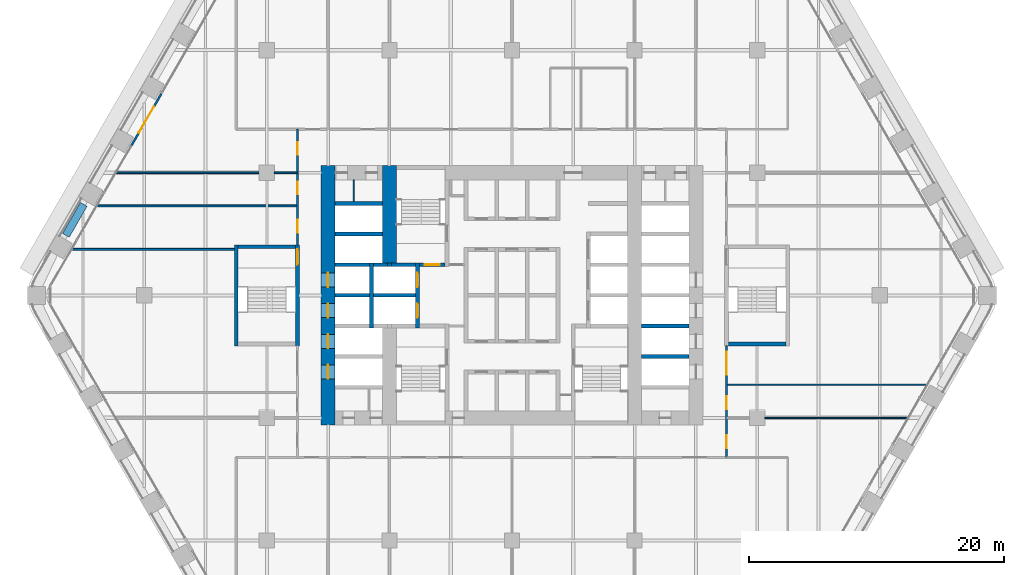
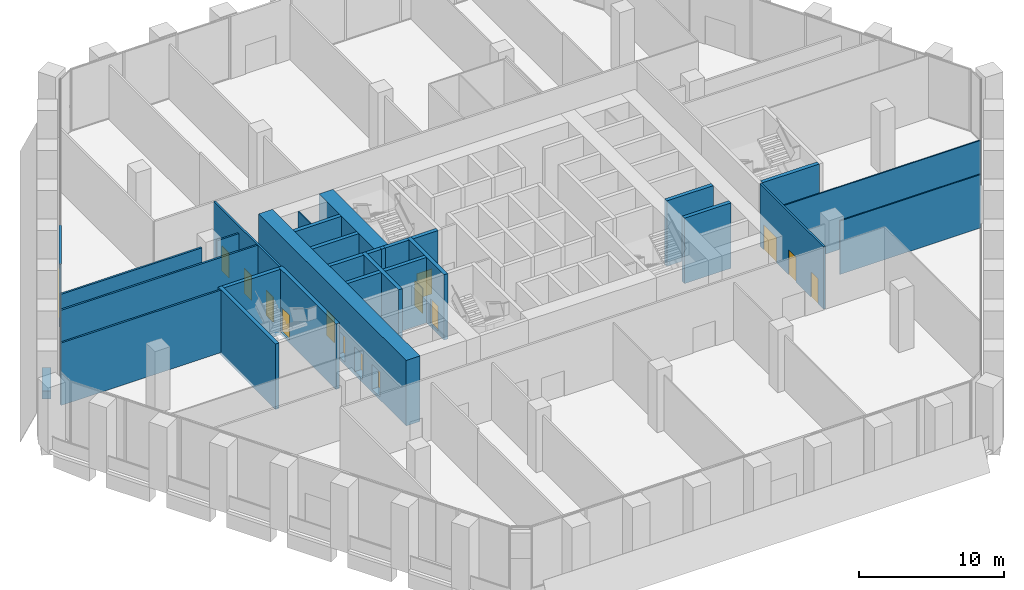
# One storey, part 19 of 27: 30 walls, 15 doors, 15 openings.
"""IFC4 building model written with IfcOpenShell, lengths in metres."""

from ifc_helpers import new_model, si_unit, direction, frame, frame_2d, origin, place, context, subcontext, project, spatial, rectangle, extrude, material, layer, layer_set, type_object, element, fill, save


model = new_model("IFC4")

# Units and contexts
model_context = context("Model", 3, precision=1e-05, world=origin(), true_north=direction((0.0, 1.0)))
body_context = subcontext(model_context, "Body", "Model", "MODEL_VIEW")
ifc_project = project(units=[si_unit("LENGTHUNIT", "METRE"), si_unit("AREAUNIT", "SQUARE_METRE"), si_unit("VOLUMEUNIT", "CUBIC_METRE"), si_unit("PLANEANGLEUNIT", "RADIAN"), si_unit("MASSUNIT", "GRAM", prefix="KILO")], contexts=[model_context])

# Site, building, storey
site_placement = place(None, origin())
site = spatial("IfcSite", under=ifc_project, at=site_placement, CompositionType="ELEMENT")
building_placement = place(site_placement, origin())
building = spatial("IfcBuilding", under=site, at=building_placement, Name="Kolab Exchange Tower", CompositionType="ELEMENT")
storey_placement = place(building_placement, frame((0.0, 0.0, 27.89990234375)))
storey = spatial("IfcBuildingStorey", under=building, at=storey_placement, Name="L05", CompositionType="ELEMENT", Elevation=27.89990234375)

# Wall, openings, doors
ifc_material_1 = material(Name="Concrete C80/95", Category="concrete")
ifc_layer_1 = layer(ifc_material_1, 1.10009765625)
ifc_layer_set_1 = layer_set([ifc_layer_1], Name="Concrete C80/95")
wall_type_1 = type_object("IfcWallType", Name="CORE WALL 1100 C80/95", PredefinedType="SHEAR", material=ifc_layer_set_1)
wall_1_placement = place(storey_placement, frame((-14.39990234375, -10.14990234375, -0.25), z_axis=(0.0, 0.0, 1.0), x_axis=(0.0, 1.0, 0.0)))
wall_1 = element("IfcWall", 1, at=wall_1_placement, inside=storey, type_object=wall_type_1, Name="wall/L05/core/057", PredefinedType="SHEAR", context=body_context, shape_type="SweptSolid", body=[
    extrude(rectangle(XDim=20.2998046875, YDim=1.10009765625, at=frame_2d((10.14990234375, 0.0))), origin(), (0.0, 0.0, 1.0), 5.5),
])
opening_1_placement = place(wall_1_placement, frame((3.60009765625, 0.0, 0.25)))
opening_1 = element("IfcOpeningElement", 2, at=opening_1_placement, cuts=wall_1, Name="Opening LD1-041", PredefinedType="OPENING", context=body_context, shape_type="SweptSolid", body=[
    extrude(rectangle(XDim=1.10009765625, YDim=2.10009765625, at=frame_2d((0.550048828125, 1.050048828125))), frame((0.0, 0.56005859375, 0.0), z_axis=(0.0, -1.0, 0.0), x_axis=(1.0, 0.0, 0.0)), (0.0, 0.0, 1.0), 1.1201171875),
])
opening_2_placement = place(wall_1_placement, frame((6.0, 0.0, 0.25)))
opening_2 = element("IfcOpeningElement", 3, at=opening_2_placement, cuts=wall_1, Name="Opening LD1-042", PredefinedType="OPENING", context=body_context, shape_type="SweptSolid", body=[
    extrude(rectangle(XDim=1.10009765625, YDim=2.10009765625, at=frame_2d((0.550048828125, 1.050048828125))), frame((0.0, 0.56005859375, 0.0), z_axis=(0.0, -1.0, 0.0), x_axis=(1.0, 0.0, 0.0)), (0.0, 0.0, 1.0), 1.1201171875),
])
opening_3_placement = place(wall_1_placement, frame((8.39990234375, 0.0, 0.25)))
opening_3 = element("IfcOpeningElement", 4, at=opening_3_placement, cuts=wall_1, Name="Opening LD1-043", PredefinedType="OPENING", context=body_context, shape_type="SweptSolid", body=[
    extrude(rectangle(XDim=1.10009765625, YDim=2.10009765625, at=frame_2d((0.550048828125, 1.050048828125))), frame((0.0, 0.56005859375, 0.0), z_axis=(0.0, -1.0, 0.0), x_axis=(1.0, 0.0, 0.0)), (0.0, 0.0, 1.0), 1.1201171875),
])
opening_4_placement = place(wall_1_placement, frame((10.800048828125, 0.0, 0.25)))
opening_4 = element("IfcOpeningElement", 5, at=opening_4_placement, cuts=wall_1, Name="Opening LD1-044", PredefinedType="OPENING", context=body_context, shape_type="SweptSolid", body=[
    extrude(rectangle(XDim=1.10009765625, YDim=2.10009765625, at=frame_2d((0.550048828125, 1.050048828125))), frame((0.0, 0.56005859375, 0.0), z_axis=(0.0, -1.0, 0.0), x_axis=(1.0, 0.0, 0.0)), (0.0, 0.0, 1.0), 1.1201171875),
])
ifc_material_2 = material(Name="Stainless steel 316", Category="steel")
door_type_1 = type_object("IfcDoorType", Name="LANDING DOOR 1100 PASSENGER", OperationType="DOUBLE_DOOR_SLIDING", PredefinedType="DOOR", material=ifc_material_2)
door_1_placement = place(opening_1_placement, origin())
door_1 = element("IfcDoor", 6, at=door_1_placement, inside=storey, type_object=door_type_1, Name="Landing door LR5", OperationType="DOUBLE_DOOR_SLIDING", OverallHeight=2.10009765625, OverallWidth=1.10009765625, PredefinedType="DOOR", context=body_context, shape_type="SweptSolid", body=[
    extrude(rectangle(XDim=1.10009765625, YDim=2.10009765625, at=frame_2d((0.550048828125, 1.050048828125))), frame((0.0, 0.02490234375, 0.0), z_axis=(0.0, -1.0, 0.0), x_axis=(1.0, 0.0, 0.0)), (0.0, 0.0, 1.0), 0.050048828125),
])
fill(opening_1, door_1)
door_2_placement = place(opening_2_placement, origin())
door_2 = element("IfcDoor", 7, at=door_2_placement, inside=storey, type_object=door_type_1, Name="Landing door LR6", OperationType="DOUBLE_DOOR_SLIDING", OverallHeight=2.10009765625, OverallWidth=1.10009765625, PredefinedType="DOOR", context=body_context, shape_type="SweptSolid", body=[
    extrude(rectangle(XDim=1.10009765625, YDim=2.10009765625, at=frame_2d((0.550048828125, 1.050048828125))), frame((0.0, 0.02490234375, 0.0), z_axis=(0.0, -1.0, 0.0), x_axis=(1.0, 0.0, 0.0)), (0.0, 0.0, 1.0), 0.050048828125),
])
fill(opening_2, door_2)
door_3_placement = place(opening_3_placement, origin())
door_3 = element("IfcDoor", 8, at=door_3_placement, inside=storey, type_object=door_type_1, Name="Landing door LR7", OperationType="DOUBLE_DOOR_SLIDING", OverallHeight=2.10009765625, OverallWidth=1.10009765625, PredefinedType="DOOR", context=body_context, shape_type="SweptSolid", body=[
    extrude(rectangle(XDim=1.10009765625, YDim=2.10009765625, at=frame_2d((0.550048828125, 1.050048828125))), frame((0.0, 0.02490234375, 0.0), z_axis=(0.0, -1.0, 0.0), x_axis=(1.0, 0.0, 0.0)), (0.0, 0.0, 1.0), 0.050048828125),
])
fill(opening_3, door_3)
door_4_placement = place(opening_4_placement, origin())
door_4 = element("IfcDoor", 9, at=door_4_placement, inside=storey, type_object=door_type_1, Name="Landing door LR8", OperationType="DOUBLE_DOOR_SLIDING", OverallHeight=2.10009765625, OverallWidth=1.10009765625, PredefinedType="DOOR", context=body_context, shape_type="SweptSolid", body=[
    extrude(rectangle(XDim=1.10009765625, YDim=2.10009765625, at=frame_2d((0.550048828125, 1.050048828125))), frame((0.0, 0.02490234375, 0.0), z_axis=(0.0, -1.0, 0.0), x_axis=(1.0, 0.0, 0.0)), (0.0, 0.0, 1.0), 0.050048828125),
])
fill(opening_4, door_4)

# Wall
wall_2_placement = place(storey_placement, frame((-9.60009765625, 2.550048828125, -0.25), z_axis=(0.0, 0.0, 1.0), x_axis=(0.0, 1.0, 0.0)))
element("IfcWall", 10, at=wall_2_placement, inside=storey, type_object=wall_type_1, Name="wall/L05/core/062", PredefinedType="SHEAR", context=body_context, shape_type="SweptSolid", body=[
    extrude(rectangle(XDim=7.599853515625, YDim=1.10009765625, at=frame_2d((3.7998046875, 0.0))), origin(), (0.0, 0.0, 1.0), 5.5),
])

# Wall, opening, door
ifc_material_3 = material(Name="Aluminium EN AW-6063 T6", Category="aluminium")
ifc_layer_2 = layer(ifc_material_3, 0.159912109375)
ifc_layer_set_2 = layer_set([ifc_layer_2], Name="Aluminium EN AW-6063 T6")
wall_type_2 = type_object("IfcWallType", Name="DOOR SURROUND WALL 160 ALUMINIUM FRAMED", PredefinedType="PARTITIONING", material=ifc_layer_set_2)
wall_3_placement = place(storey_placement, frame((-29.816650390625, 11.706787109375, 0.0), z_axis=(0.0, 0.0, 1.0), x_axis=(0.499978080042, 0.866038058908, 0.0)))
wall_3 = element("IfcWall", 11, at=wall_3_placement, inside=storey, type_object=wall_type_2, Name="Door surround wall", PredefinedType="PARTITIONING", context=body_context, shape_type="SweptSolid", body=[
    extrude(rectangle(XDim=4.739990234375, YDim=0.159912109375, at=frame_2d((2.3701171875, 0.0))), origin(), (0.0, 0.0, 1.0), 5.25),
])
opening_5_placement = place(wall_3_placement, frame((1.169921875, 0.0, 0.0)))
opening_5 = element("IfcOpeningElement", 12, at=opening_5_placement, cuts=wall_3, Name="Opening GD1-022", PredefinedType="OPENING", context=body_context, shape_type="SweptSolid", body=[
    extrude(rectangle(XDim=2.39990234375, YDim=2.39990234375, at=frame_2d((1.199951171875, 1.199951171875))), frame((0.0, 0.08984375, 0.0), z_axis=(0.0, -1.0, 0.0), x_axis=(1.0, 0.0, 0.0)), (0.0, 0.0, 1.0), 0.179931640625),
])
door_type_2 = type_object("IfcDoorType", Name="LOGGIA SLIDING GLASS DOOR 2400 X 2400", OperationType="DOUBLE_DOOR_SINGLE_SWING", PredefinedType="DOOR", material=ifc_material_3)
door_5_placement = place(opening_5_placement, origin())
door_5 = element("IfcDoor", 13, at=door_5_placement, inside=storey, type_object=door_type_2, Name="Loggia door", OperationType="DOUBLE_DOOR_SLIDING", OverallHeight=2.39990234375, OverallWidth=2.39990234375, PredefinedType="DOOR", context=body_context, shape_type="SweptSolid", body=[
    extrude(rectangle(XDim=2.39990234375, YDim=2.39990234375, at=frame_2d((1.199951171875, 1.199951171875))), frame((0.0, 0.02490234375, 0.0), z_axis=(0.0, -1.0, 0.0), x_axis=(1.0, 0.0, 0.0)), (0.0, 0.0, 1.0), 0.050048828125),
])
fill(opening_5, door_5)

# Walls
ifc_material_4 = material(Name="Concrete C50/60", Category="concrete")
ifc_layer_3 = layer(ifc_material_4, 0.300048828125)
ifc_layer_set_3 = layer_set([ifc_layer_3], Name="Concrete C50/60")
wall_type_3 = type_object("IfcWallType", Name="LIFT SHAFT WALL 300 C50/60", PredefinedType="STANDARD", material=ifc_layer_set_3)
for number, where, z_axis, x_axis, name in (
    (14, (10.14990234375, -4.800048828125, -0.25), (0.0, 0.0, 1.0), (1.0, 0.0, 0.0), "wall/L05/core/011"),
    (15, (10.14990234375, -2.39990234375, -0.25), (0.0, 0.0, 1.0), (1.0, 0.0, 0.0), "wall/L05/core/023"),
):
    element("IfcWall", number, at=place(storey_placement, frame(where, z_axis=z_axis, x_axis=x_axis)), inside=storey, type_object=wall_type_3, Name=name, PredefinedType="STANDARD", context=body_context, shape_type="SweptSolid", body=[
        extrude(rectangle(XDim=3.7001953125, YDim=0.300048828125, at=frame_2d((1.85009765625, 0.0))), origin(), (0.0, 0.0, 1.0), 5.5),
    ])
wall_4_placement = place(storey_placement, frame((-13.85009765625, 0.0, -0.25), z_axis=(0.0, 0.0, 1.0), x_axis=(1.0, 0.0, 0.0)))
element("IfcWall", 16, at=wall_4_placement, inside=storey, type_object=wall_type_3, Name="wall/L05/core/024", PredefinedType="STANDARD", context=body_context, shape_type="SweptSolid", body=[
    extrude(rectangle(XDim=2.7001953125, YDim=0.300048828125, at=frame_2d((1.35009765625, 0.0))), origin(), (0.0, 0.0, 1.0), 5.5),
])
wall_5_placement = place(storey_placement, frame((-10.85009765625, 0.0, -0.25), z_axis=(0.0, 0.0, 1.0), x_axis=(1.0, 0.0, 0.0)))
element("IfcWall", 17, at=wall_5_placement, inside=storey, type_object=wall_type_3, Name="wall/L05/core/025", PredefinedType="STANDARD", context=body_context, shape_type="SweptSolid", body=[
    extrude(rectangle(XDim=3.300048828125, YDim=0.300048828125, at=frame_2d((1.64990234375, 0.0))), origin(), (0.0, 0.0, 1.0), 5.5),
])
wall_6_placement = place(storey_placement, frame((-13.85009765625, 2.39990234375, -0.25), z_axis=(0.0, 0.0, 1.0), x_axis=(1.0, 0.0, 0.0)))
element("IfcWall", 18, at=wall_6_placement, inside=storey, type_object=wall_type_3, Name="wall/L05/core/031", PredefinedType="STANDARD", context=body_context, shape_type="SweptSolid", body=[
    extrude(rectangle(XDim=2.7001953125, YDim=0.300048828125, at=frame_2d((1.35009765625, 0.0))), origin(), (0.0, 0.0, 1.0), 5.5),
])
wall_7_placement = place(storey_placement, frame((-10.85009765625, 2.39990234375, -0.25), z_axis=(0.0, 0.0, 1.0), x_axis=(1.0, 0.0, 0.0)))
element("IfcWall", 19, at=wall_7_placement, inside=storey, type_object=wall_type_3, Name="wall/L05/core/032", PredefinedType="STANDARD", context=body_context, shape_type="SweptSolid", body=[
    extrude(rectangle(XDim=1.10009765625, YDim=0.300048828125, at=frame_2d((0.550048828125, 0.0))), origin(), (0.0, 0.0, 1.0), 5.5),
])
for number, where, z_axis, x_axis, name in (
    (20, (-13.85009765625, 4.800048828125, -0.25), (0.0, 0.0, 1.0), (1.0, 0.0, 0.0), "wall/L05/core/042"),
    (21, (-13.85009765625, 7.199951171875, -0.25), (0.0, 0.0, 1.0), (1.0, 0.0, 0.0), "wall/L05/core/048"),
):
    element("IfcWall", number, at=place(storey_placement, frame(where, z_axis=z_axis, x_axis=x_axis)), inside=storey, type_object=wall_type_3, Name=name, PredefinedType="STANDARD", context=body_context, shape_type="SweptSolid", body=[
        extrude(rectangle(XDim=3.7001953125, YDim=0.300048828125, at=frame_2d((1.85009765625, 0.0))), origin(), (0.0, 0.0, 1.0), 5.5),
    ])
wall_8_placement = place(storey_placement, frame((-11.0, -2.550048828125, -0.25), z_axis=(0.0, 0.0, 1.0), x_axis=(0.0, 1.0, 0.0)))
element("IfcWall", 22, at=wall_8_placement, inside=storey, type_object=wall_type_3, Name="wall/L05/core/058", PredefinedType="STANDARD", context=body_context, shape_type="SweptSolid", body=[
    extrude(rectangle(XDim=5.10009765625, YDim=0.300048828125, at=frame_2d((2.550048828125, 0.0))), origin(), (0.0, 0.0, 1.0), 5.5),
])

# Wall, openings, doors
wall_9_placement = place(storey_placement, frame((-7.39990234375, -2.550048828125, -0.25), z_axis=(0.0, 0.0, 1.0), x_axis=(0.0, 1.0, 0.0)))
wall_9 = element("IfcWall", 23, at=wall_9_placement, inside=storey, type_object=wall_type_3, Name="wall/L05/core/063", PredefinedType="STANDARD", context=body_context, shape_type="SweptSolid", body=[
    extrude(rectangle(XDim=5.10009765625, YDim=0.300048828125, at=frame_2d((2.550048828125, 0.0))), origin(), (0.0, 0.0, 1.0), 5.5),
])
opening_6_placement = place(wall_9_placement, frame((0.800048828125, 0.0, 0.25)))
opening_6 = element("IfcOpeningElement", 24, at=opening_6_placement, cuts=wall_9, Name="Opening LD2-009", PredefinedType="OPENING", context=body_context, shape_type="SweptSolid", body=[
    extrude(rectangle(XDim=1.10009765625, YDim=2.10009765625, at=frame_2d((0.550048828125, 1.050048828125))), frame((0.0, 0.16015625, 0.0), z_axis=(0.0, -1.0, 0.0), x_axis=(1.0, 0.0, 0.0)), (0.0, 0.0, 1.0), 0.320068359375),
])
opening_7_placement = place(wall_9_placement, frame((3.199951171875, 0.0, 0.25)))
opening_7 = element("IfcOpeningElement", 25, at=opening_7_placement, cuts=wall_9, Name="Opening LD2-010", PredefinedType="OPENING", context=body_context, shape_type="SweptSolid", body=[
    extrude(rectangle(XDim=1.10009765625, YDim=2.10009765625, at=frame_2d((0.550048828125, 1.050048828125))), frame((0.0, 0.16015625, 0.0), z_axis=(0.0, -1.0, 0.0), x_axis=(1.0, 0.0, 0.0)), (0.0, 0.0, 1.0), 0.320068359375),
])
door_type_3 = type_object("IfcDoorType", Name="LANDING DOOR 1100 FIREFIGHTING", OperationType="DOUBLE_DOOR_SLIDING", PredefinedType="DOOR", material=ifc_material_2)
door_6_placement = place(opening_6_placement, origin())
door_6 = element("IfcDoor", 26, at=door_6_placement, inside=storey, type_object=door_type_3, Name="Landing door FF1", OperationType="DOUBLE_DOOR_SLIDING", OverallHeight=2.10009765625, OverallWidth=1.10009765625, PredefinedType="DOOR", context=body_context, shape_type="SweptSolid", body=[
    extrude(rectangle(XDim=1.10009765625, YDim=2.10009765625, at=frame_2d((0.550048828125, 1.050048828125))), frame((0.0, 0.02490234375, 0.0), z_axis=(0.0, -1.0, 0.0), x_axis=(1.0, 0.0, 0.0)), (0.0, 0.0, 1.0), 0.050048828125),
])
fill(opening_6, door_6)
door_7_placement = place(opening_7_placement, origin())
door_7 = element("IfcDoor", 27, at=door_7_placement, inside=storey, type_object=door_type_3, Name="Landing door FF2", OperationType="DOUBLE_DOOR_SLIDING", OverallHeight=2.10009765625, OverallWidth=1.10009765625, PredefinedType="DOOR", context=body_context, shape_type="SweptSolid", body=[
    extrude(rectangle(XDim=1.10009765625, YDim=2.10009765625, at=frame_2d((0.550048828125, 1.050048828125))), frame((0.0, 0.02490234375, 0.0), z_axis=(0.0, -1.0, 0.0), x_axis=(1.0, 0.0, 0.0)), (0.0, 0.0, 1.0), 0.050048828125),
])
fill(opening_7, door_7)

# Walls
ifc_material_5 = material(Name="Gypsum board", Category="gypsum")
ifc_layer_4 = layer(ifc_material_5, 0.10009765625)
ifc_layer_set_4 = layer_set([ifc_layer_4], Name="Gypsum board")
wall_type_4 = type_object("IfcWallType", Name="PARTITION 100", PredefinedType="PARTITIONING", material=ifc_layer_set_4)
wall_10_placement = place(storey_placement, frame((-12.39990234375, 7.35009765625, 0.0), z_axis=(0.0, 0.0, 1.0), x_axis=(0.0, 1.0, 0.0)))
element("IfcWall", 28, at=wall_10_placement, inside=storey, type_object=wall_type_4, Name="Partition 023", PredefinedType="PARTITIONING", context=body_context, shape_type="SweptSolid", body=[
    extrude(rectangle(XDim=1.699951171875, YDim=0.10009765625, at=frame_2d((0.85009765625, 0.0))), origin(), (0.0, 0.0, 1.0), 5.25),
])
wall_11_placement = place(storey_placement, frame((19.800048828125, -9.60009765625, 0.0), z_axis=(0.0, 0.0, 1.0), x_axis=(1.0, 0.0, 0.0)))
element("IfcWall", 29, at=wall_11_placement, inside=storey, type_object=wall_type_4, Name="Partition 033", PredefinedType="PARTITIONING", context=body_context, shape_type="SweptSolid", body=[
    extrude(rectangle(XDim=11.186767578125, YDim=0.10009765625, at=frame_2d((5.59326171875, 0.0))), origin(), (0.0, 0.0, 1.0), 4.488037109375),
])
wall_12_placement = place(storey_placement, frame((16.800048828125, -7.0, 0.0), z_axis=(0.0, 0.0, 1.0), x_axis=(1.0, 0.0, 0.0)))
element("IfcWall", 30, at=wall_12_placement, inside=storey, type_object=wall_type_4, Name="Partition 038", PredefinedType="PARTITIONING", context=body_context, shape_type="SweptSolid", body=[
    extrude(rectangle(XDim=15.687744140625, YDim=0.10009765625, at=frame_2d((7.84375, 0.0))), origin(), (0.0, 0.0, 1.0), 5.25),
])

# Wall, openings, doors
ifc_layer_5 = layer(ifc_material_5, 0.14990234375)
ifc_layer_set_5 = layer_set([ifc_layer_5], Name="Gypsum board")
wall_type_5 = type_object("IfcWallType", Name="PARTITION 150 FIRE-RATED", PredefinedType="PARTITIONING", material=ifc_layer_set_5)
wall_13_placement = place(storey_placement, frame((16.800048828125, -12.699951171875, 0.0), z_axis=(0.0, 0.0, 1.0), x_axis=(0.0, 1.0, 0.0)))
wall_13 = element("IfcWall", 31, at=wall_13_placement, inside=storey, type_object=wall_type_5, Name="Partition 002", PredefinedType="PARTITIONING", context=body_context, shape_type="SweptSolid", body=[
    extrude(rectangle(XDim=8.75, YDim=0.14990234375, at=frame_2d((4.375, 0.0))), origin(), (0.0, 0.0, 1.0), 5.25),
])
opening_8_placement = place(wall_13_placement, frame((0.72998046875, 0.0, 0.0)))
opening_8 = element("IfcOpeningElement", 32, at=opening_8_placement, cuts=wall_13, Name="Opening D1-073", PredefinedType="OPENING", context=body_context, shape_type="SweptSolid", body=[
    extrude(rectangle(XDim=1.0, YDim=2.10009765625, at=frame_2d((0.5, 1.050048828125))), frame((0.0, 0.0849609375, 0.0), z_axis=(0.0, -1.0, 0.0), x_axis=(1.0, 0.0, 0.0)), (0.0, 0.0, 1.0), 0.169921875),
])
opening_9_placement = place(wall_13_placement, frame((3.794921875, 0.0, 0.0)))
opening_9 = element("IfcOpeningElement", 33, at=opening_9_placement, cuts=wall_13, Name="Opening D1-074", PredefinedType="OPENING", context=body_context, shape_type="SweptSolid", body=[
    extrude(rectangle(XDim=1.0, YDim=2.10009765625, at=frame_2d((0.5, 1.050048828125))), frame((0.0, 0.0849609375, 0.0), z_axis=(0.0, -1.0, 0.0), x_axis=(1.0, 0.0, 0.0)), (0.0, 0.0, 1.0), 0.169921875),
])
opening_10_placement = place(wall_13_placement, frame((6.47509765625, 0.0, 0.0)))
opening_10 = element("IfcOpeningElement", 34, at=opening_10_placement, cuts=wall_13, Name="Opening D2-013", PredefinedType="OPENING", context=body_context, shape_type="SweptSolid", body=[
    extrude(rectangle(XDim=1.800048828125, YDim=2.10009765625, at=frame_2d((0.89990234375, 1.050048828125))), frame((0.0, 0.0849609375, 0.0), z_axis=(0.0, -1.0, 0.0), x_axis=(1.0, 0.0, 0.0)), (0.0, 0.0, 1.0), 0.169921875),
])
ifc_material_6 = material(Name="Steel S235", Category="steel")
door_type_4 = type_object("IfcDoorType", Name="DOUBLE DOOR 1800 FD60", OperationType="DOUBLE_DOOR_SINGLE_SWING", PredefinedType="DOOR", material=ifc_material_6)
door_8_placement = place(opening_10_placement, frame((1.800048828125, 0.0, 0.0), z_axis=(0.0, 0.0, 1.0), x_axis=(-1.0, 0.0, 0.0)))
door_8 = element("IfcDoor", 35, at=door_8_placement, inside=storey, type_object=door_type_4, Name="Door L05-061", OperationType="SINGLE_SWING_RIGHT", OverallHeight=2.10009765625, OverallWidth=1.800048828125, PredefinedType="DOOR", context=body_context, shape_type="SweptSolid", body=[
    extrude(rectangle(XDim=1.800048828125, YDim=2.10009765625, at=frame_2d((0.89990234375, 1.050048828125))), frame((0.0, 0.02490234375, 0.0), z_axis=(0.0, -1.0, 0.0), x_axis=(1.0, 0.0, 0.0)), (0.0, 0.0, 1.0), 0.050048828125),
])
fill(opening_10, door_8)
door_type_5 = type_object("IfcDoorType", Name="FLUSH DOOR 1000 FD60", OperationType="SINGLE_SWING_LEFT", PredefinedType="DOOR", material=ifc_material_6)
door_9_placement = place(opening_8_placement, frame((1.0, 0.0, 0.0), z_axis=(0.0, 0.0, 1.0), x_axis=(-1.0, 0.0, 0.0)))
door_9 = element("IfcDoor", 36, at=door_9_placement, inside=storey, type_object=door_type_5, Name="Door L05-059", OperationType="SINGLE_SWING_LEFT", OverallHeight=2.10009765625, OverallWidth=1.0, PredefinedType="DOOR", context=body_context, shape_type="SweptSolid", body=[
    extrude(rectangle(XDim=1.0, YDim=2.10009765625, at=frame_2d((0.5, 1.050048828125))), frame((0.0, 0.02490234375, 0.0), z_axis=(0.0, -1.0, 0.0), x_axis=(1.0, 0.0, 0.0)), (0.0, 0.0, 1.0), 0.050048828125),
])
fill(opening_8, door_9)
door_10_placement = place(opening_9_placement, frame((1.0, 0.0, 0.0), z_axis=(0.0, 0.0, 1.0), x_axis=(-1.0, 0.0, 0.0)))
door_10 = element("IfcDoor", 37, at=door_10_placement, inside=storey, type_object=door_type_5, Name="Door L05-060", OperationType="SINGLE_SWING_LEFT", OverallHeight=2.10009765625, OverallWidth=1.0, PredefinedType="DOOR", context=body_context, shape_type="SweptSolid", body=[
    extrude(rectangle(XDim=1.0, YDim=2.10009765625, at=frame_2d((0.5, 1.050048828125))), frame((0.0, 0.02490234375, 0.0), z_axis=(0.0, -1.0, 0.0), x_axis=(1.0, 0.0, 0.0)), (0.0, 0.0, 1.0), 0.050048828125),
])
fill(opening_9, door_10)

wall_14_placement = place(storey_placement, frame((-16.800048828125, 3.949951171875, 0.0), z_axis=(0.0, 0.0, 1.0), x_axis=(0.0, 1.0, 0.0)))
wall_14 = element("IfcWall", 38, at=wall_14_placement, inside=storey, type_object=wall_type_5, Name="Partition 027", PredefinedType="PARTITIONING", context=body_context, shape_type="SweptSolid", body=[
    extrude(rectangle(XDim=9.050048828125, YDim=0.14990234375, at=frame_2d((4.52490234375, 0.0))), origin(), (0.0, 0.0, 1.0), 5.25),
])
opening_11_placement = place(wall_14_placement, frame((0.949951171875, 0.0, 0.0)))
opening_11 = element("IfcOpeningElement", 39, at=opening_11_placement, cuts=wall_14, Name="Opening D1-080", PredefinedType="OPENING", context=body_context, shape_type="SweptSolid", body=[
    extrude(rectangle(XDim=1.0, YDim=2.10009765625, at=frame_2d((0.5, 1.050048828125))), frame((0.0, 0.0849609375, 0.0), z_axis=(0.0, -1.0, 0.0), x_axis=(1.0, 0.0, 0.0)), (0.0, 0.0, 1.0), 0.169921875),
])
opening_12_placement = place(wall_14_placement, frame((3.955078125, 0.0, 0.0)))
opening_12 = element("IfcOpeningElement", 40, at=opening_12_placement, cuts=wall_14, Name="Opening D1-081", PredefinedType="OPENING", context=body_context, shape_type="SweptSolid", body=[
    extrude(rectangle(XDim=1.0, YDim=2.10009765625, at=frame_2d((0.5, 1.050048828125))), frame((0.0, 0.0849609375, 0.0), z_axis=(0.0, -1.0, 0.0), x_axis=(1.0, 0.0, 0.0)), (0.0, 0.0, 1.0), 0.169921875),
])
opening_13_placement = place(wall_14_placement, frame((7.050048828125, 0.0, 0.0)))
opening_13 = element("IfcOpeningElement", 41, at=opening_13_placement, cuts=wall_14, Name="Opening D1-082", PredefinedType="OPENING", context=body_context, shape_type="SweptSolid", body=[
    extrude(rectangle(XDim=1.0, YDim=2.10009765625, at=frame_2d((0.5, 1.050048828125))), frame((0.0, 0.0849609375, 0.0), z_axis=(0.0, -1.0, 0.0), x_axis=(1.0, 0.0, 0.0)), (0.0, 0.0, 1.0), 0.169921875),
])
door_11_placement = place(opening_11_placement, origin())
door_11 = element("IfcDoor", 42, at=door_11_placement, inside=storey, type_object=door_type_5, Name="Door L05-068", OperationType="SINGLE_SWING_RIGHT", OverallHeight=2.10009765625, OverallWidth=1.0, PredefinedType="DOOR", context=body_context, shape_type="SweptSolid", body=[
    extrude(rectangle(XDim=1.0, YDim=2.10009765625, at=frame_2d((0.5, 1.050048828125))), frame((0.0, 0.02490234375, 0.0), z_axis=(0.0, -1.0, 0.0), x_axis=(1.0, 0.0, 0.0)), (0.0, 0.0, 1.0), 0.050048828125),
])
fill(opening_11, door_11)
door_12_placement = place(opening_12_placement, origin())
door_12 = element("IfcDoor", 43, at=door_12_placement, inside=storey, type_object=door_type_5, Name="Door L05-069", OperationType="SINGLE_SWING_RIGHT", OverallHeight=2.10009765625, OverallWidth=1.0, PredefinedType="DOOR", context=body_context, shape_type="SweptSolid", body=[
    extrude(rectangle(XDim=1.0, YDim=2.10009765625, at=frame_2d((0.5, 1.050048828125))), frame((0.0, 0.02490234375, 0.0), z_axis=(0.0, -1.0, 0.0), x_axis=(1.0, 0.0, 0.0)), (0.0, 0.0, 1.0), 0.050048828125),
])
fill(opening_12, door_12)
door_13_placement = place(opening_13_placement, origin())
door_13 = element("IfcDoor", 44, at=door_13_placement, inside=storey, type_object=door_type_5, Name="Door L05-070", OperationType="SINGLE_SWING_RIGHT", OverallHeight=2.10009765625, OverallWidth=1.0, PredefinedType="DOOR", context=body_context, shape_type="SweptSolid", body=[
    extrude(rectangle(XDim=1.0, YDim=2.10009765625, at=frame_2d((0.5, 1.050048828125))), frame((0.0, 0.02490234375, 0.0), z_axis=(0.0, -1.0, 0.0), x_axis=(1.0, 0.0, 0.0)), (0.0, 0.0, 1.0), 0.050048828125),
])
fill(opening_13, door_13)

# Walls
wall_15_placement = place(storey_placement, frame((-34.450927734375, 3.60009765625, 0.0), z_axis=(0.0, 0.0, 1.0), x_axis=(1.0, 0.0, 0.0)))
element("IfcWall", 45, at=wall_15_placement, inside=storey, type_object=wall_type_5, Name="Partition 040", PredefinedType="PARTITIONING", context=body_context, shape_type="SweptSolid", body=[
    extrude(rectangle(XDim=12.700927734375, YDim=0.14990234375, at=frame_2d((6.3505859375, 0.0))), origin(), (0.0, 0.0, 1.0), 5.25),
])
wall_16_placement = place(storey_placement, frame((-32.48779296875, 7.0, 0.0), z_axis=(0.0, 0.0, 1.0), x_axis=(1.0, 0.0, 0.0)))
element("IfcWall", 46, at=wall_16_placement, inside=storey, type_object=wall_type_5, Name="Partition 041", PredefinedType="PARTITIONING", context=body_context, shape_type="SweptSolid", body=[
    extrude(rectangle(XDim=15.687744140625, YDim=0.14990234375, at=frame_2d((7.84375, 0.0))), origin(), (0.0, 0.0, 1.0), 5.25),
])
wall_17_placement = place(storey_placement, frame((-30.98681640625, 9.60009765625, 0.0), z_axis=(0.0, 0.0, 1.0), x_axis=(1.0, 0.0, 0.0)))
element("IfcWall", 47, at=wall_17_placement, inside=storey, type_object=wall_type_5, Name="Partition 044", PredefinedType="PARTITIONING", context=body_context, shape_type="SweptSolid", body=[
    extrude(rectangle(XDim=11.186767578125, YDim=0.14990234375, at=frame_2d((5.59326171875, 0.0))), origin(), (0.0, 0.0, 1.0), 4.488037109375),
])
wall_18_placement = place(storey_placement, frame((-18.60009765625, 9.60009765625, 0.0), z_axis=(0.0, 0.0, 1.0), x_axis=(1.0, 0.0, 0.0)))
element("IfcWall", 48, at=wall_18_placement, inside=storey, type_object=wall_type_5, Name="Partition 045", PredefinedType="PARTITIONING", context=body_context, shape_type="SweptSolid", body=[
    extrude(rectangle(XDim=1.800048828125, YDim=0.14990234375, at=frame_2d((0.89990234375, 0.0))), origin(), (0.0, 0.0, 1.0), 4.64208984375),
])
ifc_material_7 = material(Name="Granite facing", Category="masonry")
ifc_layer_6 = layer(ifc_material_7, 0.0400390625)
ifc_material_8 = material(Name="Concrete C40/50 precast", Category="concrete")
ifc_layer_7 = layer(ifc_material_8, 0.56005859375)
ifc_layer_set_6 = layer_set([ifc_layer_6, ifc_layer_7], Name="Concrete C40/50 precast")
wall_type_6 = type_object("IfcWallType", Name="PLANTER BOX 600 X 700 SOIL DEPTH 550", PredefinedType="USERDEFINED", material=ifc_layer_set_6)
wall_19_placement = place(storey_placement, frame((-34.93701171875, 4.697998046875, 0.0), z_axis=(0.0, 0.0, 1.0), x_axis=(0.49998411664, 0.866034573852, 0.0)))
element("IfcWall", 49, at=wall_19_placement, inside=storey, type_object=wall_type_6, Name="Planter", ObjectType="PLANTER", PredefinedType="USERDEFINED", context=body_context, shape_type="SweptSolid", body=[
    extrude(rectangle(XDim=2.7998046875, YDim=0.60009765625, at=frame_2d((1.39990234375, 0.0))), origin(), (0.0, 0.0, 1.0), 0.7001953125),
])
ifc_layer_8 = layer(ifc_material_4, 0.300048828125)
ifc_layer_set_7 = layer_set([ifc_layer_8], Name="Concrete C50/60")
wall_type_7 = type_object("IfcWallType", Name="STAIR ENCLOSURE WALL 300 C50/60", PredefinedType="STANDARD", material=ifc_layer_set_7)
wall_20_placement = place(storey_placement, frame((16.949951171875, -3.800048828125, -0.25), z_axis=(0.0, 0.0, 1.0), x_axis=(1.0, 0.0, 0.0)))
element("IfcWall", 50, at=wall_20_placement, inside=storey, type_object=wall_type_7, Name="wall/L05/core/013", PredefinedType="STANDARD", context=body_context, shape_type="SweptSolid", body=[
    extrude(rectangle(XDim=4.5, YDim=0.300048828125, at=frame_2d((2.25, 0.0))), origin(), (0.0, 0.0, 1.0), 5.5),
])
wall_21_placement = place(storey_placement, frame((-9.449951171875, 2.39990234375, -0.25), z_axis=(0.0, 0.0, 1.0), x_axis=(1.0, 0.0, 0.0)))
element("IfcWall", 51, at=wall_21_placement, inside=storey, type_object=wall_type_7, Name="wall/L05/core/033", PredefinedType="STANDARD", context=body_context, shape_type="SweptSolid", body=[
    extrude(rectangle(XDim=1.89990234375, YDim=0.300048828125, at=frame_2d((0.949951171875, 0.0))), origin(), (0.0, 0.0, 1.0), 5.5),
])

# Wall, opening, door
wall_22_placement = place(storey_placement, frame((-7.25, 2.39990234375, -0.25), z_axis=(0.0, 0.0, 1.0), x_axis=(1.0, 0.0, 0.0)))
wall_22 = element("IfcWall", 52, at=wall_22_placement, inside=storey, type_object=wall_type_7, Name="wall/L05/core/034", PredefinedType="STANDARD", context=body_context, shape_type="SweptSolid", body=[
    extrude(rectangle(XDim=2.0, YDim=0.300048828125, at=frame_2d((1.0, 0.0))), origin(), (0.0, 0.0, 1.0), 5.5),
])
opening_14_placement = place(wall_22_placement, frame((0.39990234375, 0.0, 0.25)))
opening_14 = element("IfcOpeningElement", 53, at=opening_14_placement, cuts=wall_22, Name="Opening D4-019", PredefinedType="OPENING", context=body_context, shape_type="SweptSolid", body=[
    extrude(rectangle(XDim=1.199951171875, YDim=2.10009765625, at=frame_2d((0.60009765625, 1.050048828125))), frame((0.0, 0.16015625, 0.0), z_axis=(0.0, -1.0, 0.0), x_axis=(1.0, 0.0, 0.0)), (0.0, 0.0, 1.0), 0.320068359375),
])
door_type_6 = type_object("IfcDoorType", Name="STAIR DOOR 1200 EI 120", OperationType="SINGLE_SWING_LEFT", PredefinedType="DOOR", material=ifc_material_6)
door_14_placement = place(opening_14_placement, origin())
door_14 = element("IfcDoor", 54, at=door_14_placement, inside=storey, type_object=door_type_6, Name="Stair 1 door", OperationType="SINGLE_SWING_RIGHT", OverallHeight=2.10009765625, OverallWidth=1.199951171875, PredefinedType="DOOR", context=body_context, shape_type="SweptSolid", body=[
    extrude(rectangle(XDim=1.199951171875, YDim=2.10009765625, at=frame_2d((0.60009765625, 1.050048828125))), frame((0.0, 0.02490234375, 0.0), z_axis=(0.0, -1.0, 0.0), x_axis=(1.0, 0.0, 0.0)), (0.0, 0.0, 1.0), 0.050048828125),
])
fill(opening_14, door_14)

# Walls
wall_23_placement = place(storey_placement, frame((-21.449951171875, 3.800048828125, -0.25), z_axis=(0.0, 0.0, 1.0), x_axis=(1.0, 0.0, 0.0)))
element("IfcWall", 55, at=wall_23_placement, inside=storey, type_object=wall_type_7, Name="wall/L05/core/040", PredefinedType="STANDARD", context=body_context, shape_type="SweptSolid", body=[
    extrude(rectangle(XDim=4.5, YDim=0.300048828125, at=frame_2d((2.25, 0.0))), origin(), (0.0, 0.0, 1.0), 5.5),
])
wall_24_placement = place(storey_placement, frame((-21.60009765625, -3.949951171875, -0.25), z_axis=(0.0, 0.0, 1.0), x_axis=(0.0, 1.0, 0.0)))
element("IfcWall", 56, at=wall_24_placement, inside=storey, type_object=wall_type_7, Name="wall/L05/core/055", PredefinedType="STANDARD", context=body_context, shape_type="SweptSolid", body=[
    extrude(rectangle(XDim=7.89990234375, YDim=0.300048828125, at=frame_2d((3.949951171875, 0.0))), origin(), (0.0, 0.0, 1.0), 5.5),
])

# Wall, opening, door
wall_25_placement = place(storey_placement, frame((-16.800048828125, -3.949951171875, -0.25), z_axis=(0.0, 0.0, 1.0), x_axis=(0.0, 1.0, 0.0)))
wall_25 = element("IfcWall", 57, at=wall_25_placement, inside=storey, type_object=wall_type_7, Name="wall/L05/core/056", PredefinedType="STANDARD", context=body_context, shape_type="SweptSolid", body=[
    extrude(rectangle(XDim=7.89990234375, YDim=0.300048828125, at=frame_2d((3.949951171875, 0.0))), origin(), (0.0, 0.0, 1.0), 5.5),
])
opening_15_placement = place(wall_25_placement, frame((6.35009765625, 0.0, 0.25)))
opening_15 = element("IfcOpeningElement", 58, at=opening_15_placement, cuts=wall_25, Name="Opening D4-024", PredefinedType="OPENING", context=body_context, shape_type="SweptSolid", body=[
    extrude(rectangle(XDim=1.199951171875, YDim=2.10009765625, at=frame_2d((0.60009765625, 1.050048828125))), frame((0.0, 0.16015625, 0.0), z_axis=(0.0, -1.0, 0.0), x_axis=(1.0, 0.0, 0.0)), (0.0, 0.0, 1.0), 0.320068359375),
])
door_15_placement = place(opening_15_placement, origin())
door_15 = element("IfcDoor", 59, at=door_15_placement, inside=storey, type_object=door_type_6, Name="Stair 5 door", OperationType="SINGLE_SWING_RIGHT", OverallHeight=2.10009765625, OverallWidth=1.199951171875, PredefinedType="DOOR", context=body_context, shape_type="SweptSolid", body=[
    extrude(rectangle(XDim=1.199951171875, YDim=2.10009765625, at=frame_2d((0.60009765625, 1.050048828125))), frame((0.0, 0.02490234375, 0.0), z_axis=(0.0, -1.0, 0.0), x_axis=(1.0, 0.0, 0.0)), (0.0, 0.0, 1.0), 0.050048828125),
])
fill(opening_15, door_15)

# Wall
wall_26_placement = place(storey_placement, frame((-9.60009765625, 2.25, -0.25), z_axis=(0.0, 0.0, 1.0), x_axis=(0.0, 1.0, 0.0)))
element("IfcWall", 60, at=wall_26_placement, inside=storey, type_object=wall_type_7, Name="wall/L05/core/061", PredefinedType="STANDARD", context=body_context, shape_type="SweptSolid", body=[
    extrude(rectangle(XDim=0.300048828125, YDim=0.300048828125, at=frame_2d((0.14990234375, 0.0))), origin(), (0.0, 0.0, 1.0), 5.5),
])

save(model, "model.ifc")
